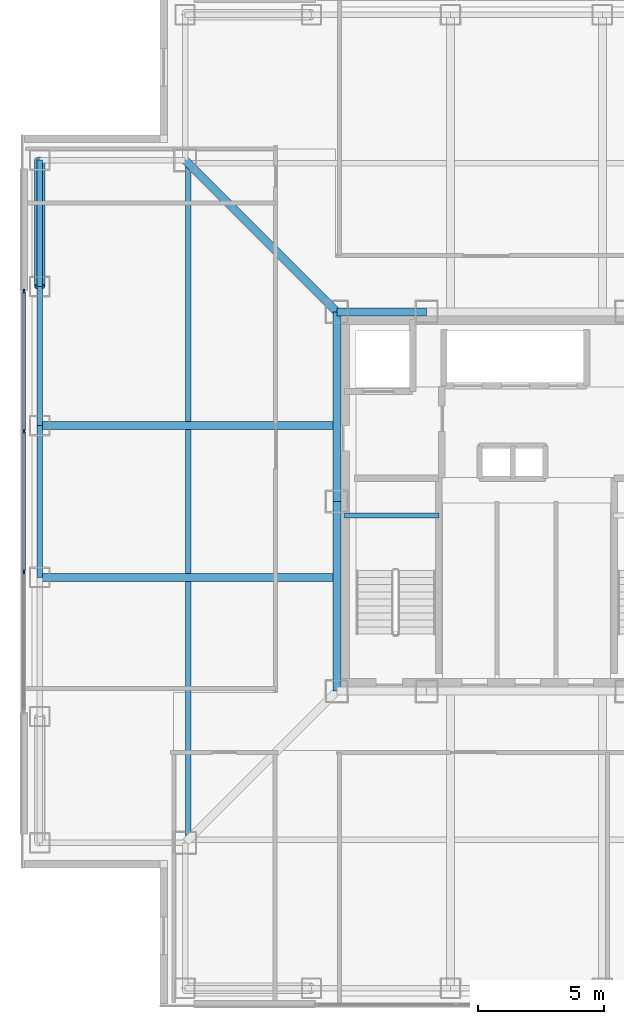
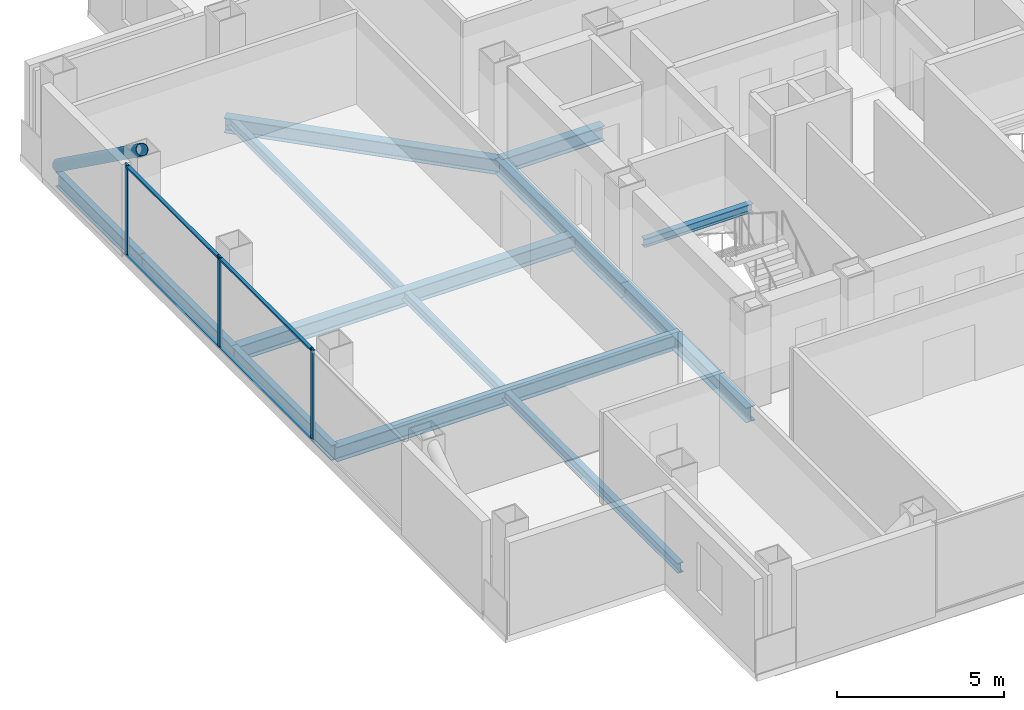
# One storey, part 4 of 17: 11 beams, 8 members, 1 element without a shape of its own.
"""IFC4 building model written with IfcOpenShell, lengths in metres."""

from ifc_helpers import new_model, si_unit, direction, frame, origin, origin_2d, place, context, subcontext, project, spatial, rectangle, hollow_circle, i_section, extrude, material, layer, layer_set, material_profile, profile_set, type_object, element, aggregate, save


model = new_model("IFC4")

# Units and contexts
model_context = context("Model", 3, precision=1e-05, world=origin(), true_north=direction((0.0, 1.0)))
body_context = subcontext(model_context, "Body", "Model", "MODEL_VIEW")
ifc_project = project(units=[si_unit("LENGTHUNIT", "METRE"), si_unit("AREAUNIT", "SQUARE_METRE"), si_unit("VOLUMEUNIT", "CUBIC_METRE"), si_unit("PLANEANGLEUNIT", "RADIAN"), si_unit("MASSUNIT", "GRAM", prefix="KILO")], contexts=[model_context])

# Site, building, storey
site_placement = place(None, origin())
site = spatial("IfcSite", under=ifc_project, at=site_placement, CompositionType="ELEMENT")
building_placement = place(site_placement, origin())
building = spatial("IfcBuilding", under=site, at=building_placement, Name="Trevonay Congress Spire", CompositionType="ELEMENT")
storey_placement = place(building_placement, frame((0.0, 0.0, 191.39990234375)))
storey = spatial("IfcBuildingStorey", under=building, at=storey_placement, Name="L49", CompositionType="ELEMENT", Elevation=191.39990234375)

# Beams
ifc_material_1 = material(Name="Steel ASTM A572 Grade 50", Category="steel")
ifc_material_profile_1 = material_profile(ifc_material_1, i_section(OverallWidth=0.31201171875, OverallDepth=0.54296875, WebThickness=0.0126953125, FlangeThickness=0.020263671875, FilletRadius=0.014892578125, at=origin_2d()), Name="W530x150")
ifc_profile_set_1 = profile_set([ifc_material_profile_1], Name="Steel ASTM A572 Grade 50")
beam_type_1 = type_object("IfcBeamType", Name="BM-GIRD-W530X150", PredefinedType="BEAM", material=ifc_profile_set_1)
beam_1_placement = place(storey_placement, frame((-7.5, 7.5, -0.511474609375), z_axis=(1.0, 0.0, 0.0), x_axis=(0.0, 1.0, 0.0)))
element("IfcBeam", 1, at=beam_1_placement, inside=storey, type_object=beam_type_1, Name="L49 structural beam BM-L49-CR-N1", PredefinedType="BEAM", context=body_context, shape_type="SweptSolid", body=[
    extrude(i_section(OverallWidth=0.31201171875, OverallDepth=0.54296875, WebThickness=0.0126953125, FlangeThickness=0.020263671875, FilletRadius=0.014892578125, at=origin_2d()), origin(), (0.0, 0.0, 1.0), 3.550048828125),
])
for number, where, z_axis, x_axis, name in (
    (2, (-7.5, -7.5, -0.511474609375), (0.0, 1.0, 0.0), (-1.0, 0.0, 0.0), "L49 structural beam BM-L49-CR-W1"),
    (3, (-7.5, 0.0, -0.511474609375), (0.0, 1.0, 0.0), (-1.0, 0.0, 0.0), "L49 structural beam BM-L49-CR-W2"),
):
    element("IfcBeam", number, at=place(storey_placement, frame(where, z_axis=z_axis, x_axis=x_axis)), inside=storey, type_object=beam_type_1, Name=name, PredefinedType="BEAM", context=body_context, shape_type="SweptSolid", body=[
        extrude(i_section(OverallWidth=0.31201171875, OverallDepth=0.54296875, WebThickness=0.0126953125, FlangeThickness=0.020263671875, FilletRadius=0.014892578125, at=origin_2d()), origin(), (0.0, 0.0, 1.0), 7.5),
    ])
beam_2_placement = place(storey_placement, frame((-7.5, 7.5, -0.511474609375), z_axis=(-0.707106781187, 0.707106781187, 0.0), x_axis=(-0.707106781187, -0.707106781187, 0.0)))
element("IfcBeam", 4, at=beam_2_placement, inside=storey, type_object=beam_type_1, Name="L49 structural beam BM-L49-CDNW", PredefinedType="BEAM", context=body_context, shape_type="SweptSolid", body=[
    extrude(i_section(OverallWidth=0.31201171875, OverallDepth=0.54296875, WebThickness=0.0126953125, FlangeThickness=0.020263671875, FilletRadius=0.014892578125, at=origin_2d()), origin(), (0.0, 0.0, 1.0), 8.4853515625),
])
for number, where, z_axis, x_axis, name in (
    (5, (-7.5, -3.0, -0.511474609375), (-1.0, 0.0, 0.0), (0.0, -1.0, 0.0), "L49 structural beam BM-L49-GW-M"),
    (6, (-7.5, 3.0, -0.511474609375), (-1.0, 0.0, 0.0), (0.0, -1.0, 0.0), "L49 structural beam BM-L49-GW-P"),
):
    element("IfcBeam", number, at=place(storey_placement, frame(where, z_axis=z_axis, x_axis=x_axis)), inside=storey, type_object=beam_type_1, Name=name, PredefinedType="BEAM", context=body_context, shape_type="SweptSolid", body=[
        extrude(i_section(OverallWidth=0.31201171875, OverallDepth=0.54296875, WebThickness=0.0126953125, FlangeThickness=0.020263671875, FilletRadius=0.014892578125, at=origin_2d()), origin(), (0.0, 0.0, 1.0), 11.75),
    ])
ifc_material_profile_2 = material_profile(ifc_material_1, i_section(OverallWidth=0.2119140625, OverallDepth=0.5439453125, WebThickness=0.01318359375, FlangeThickness=0.021240234375, FilletRadius=0.014892578125, at=origin_2d()), Name="W530x123")
ifc_profile_set_2 = profile_set([ifc_material_profile_2], Name="Steel ASTM A572 Grade 50")
beam_type_2 = type_object("IfcBeamType", Name="BM-RING-W530X123", PredefinedType="BEAM", material=ifc_profile_set_2)
beam_3_placement = place(storey_placement, frame((-19.25, -3.0, -0.511962890625), z_axis=(0.0, 1.0, 0.0), x_axis=(-1.0, 0.0, 0.0)))
element("IfcBeam", 7, at=beam_3_placement, inside=storey, type_object=beam_type_2, Name="L49 structural beam BM-L49-PW3", PredefinedType="BEAM", context=body_context, shape_type="SweptSolid", body=[
    extrude(i_section(OverallWidth=0.2119140625, OverallDepth=0.5439453125, WebThickness=0.01318359375, FlangeThickness=0.021240234375, FilletRadius=0.014892578125, at=origin_2d()), origin(), (0.0, 0.0, 1.0), 6.0),
])
beam_4_placement = place(storey_placement, frame((-19.25, 3.0, -0.511962890625), z_axis=(0.0, 1.0, 0.0), x_axis=(-1.0, 0.0, 0.0)))
element("IfcBeam", 8, at=beam_4_placement, inside=storey, type_object=beam_type_2, Name="L49 structural beam BM-L49-PW4", PredefinedType="BEAM", context=body_context, shape_type="SweptSolid", body=[
    extrude(i_section(OverallWidth=0.2119140625, OverallDepth=0.5439453125, WebThickness=0.01318359375, FlangeThickness=0.021240234375, FilletRadius=0.014892578125, at=origin_2d()), origin(), (0.0, 0.0, 1.0), 5.5),
])
beam_5_placement = place(storey_placement, frame((-19.25, 8.5, -0.511962890625), z_axis=(0.0, 1.0, 0.0), x_axis=(-1.0, 0.0, 0.0)))
element("IfcBeam", 9, at=beam_5_placement, inside=storey, type_object=beam_type_2, Name="L49 structural beam BM-L49-PW5", PredefinedType="BEAM", context=body_context, shape_type="SweptSolid", body=[
    extrude(i_section(OverallWidth=0.2119140625, OverallDepth=0.5439453125, WebThickness=0.01318359375, FlangeThickness=0.021240234375, FilletRadius=0.014892578125, at=origin_2d()), origin(), (0.0, 0.0, 1.0), 5.0),
])

# Curtain wall, members
ifc_material_2 = material(Name="Pale Anodised Aluminium EN AW-6063-T6", Category="aluminium")
ifc_layer = layer(ifc_material_2, 0.169921875, Name="Pale Anodised Aluminium EN AW-6063-T6")
ifc_layer_set = layer_set([ifc_layer], Name="Pale Anodised Aluminium EN AW-6063-T6")
curtain_wall_type = type_object("IfcCurtainWallType", Name="CW-SYS04-CORP-PALE-METAL", PredefinedType="NOTDEFINED", material=ifc_layer_set)
curtain_wall_placement = place(storey_placement, origin())
curtain_wall = element("IfcCurtainWall", 10, at=curtain_wall_placement, inside=storey, type_object=curtain_wall_type, Name="L49 W unitised curtain wall", PredefinedType="NOTDEFINED")
ifc_material_profile_3 = material_profile(ifc_material_2, rectangle(XDim=0.06005859375, YDim=0.159912109375, at=origin_2d()), Name="CW-MULLION-160-ALUMINIUM")
ifc_profile_set_3 = profile_set([ifc_material_profile_3], Name="Pale Anodised Aluminium EN AW-6063-T6")
member_type_1 = type_object("IfcMemberType", Name="CW-MULLION-160-ALUMINIUM", PredefinedType="MULLION", material=ifc_profile_set_3)
member_1_placement = place(storey_placement, frame((-19.8798828125, -2.783447265625, 0.0), z_axis=(0.0, 0.0, 1.0), x_axis=(-1.0, 0.0, 0.0)))
member_1 = element("IfcMember", 11, at=member_1_placement, type_object=member_type_1, Name="CW04 mullion 2", PredefinedType="MULLION", context=body_context, shape_type="SweptSolid", body=[
    extrude(rectangle(XDim=0.06005859375, YDim=0.159912109375, at=origin_2d()), origin(), (0.0, 0.0, 1.0), 3.360107421875),
])
member_2_placement = place(storey_placement, frame((-19.8798828125, 2.783447265625, 0.0), z_axis=(0.0, 0.0, 1.0), x_axis=(-1.0, 0.0, 0.0)))
member_2 = element("IfcMember", 12, at=member_2_placement, type_object=member_type_1, Name="CW04 mullion 3", PredefinedType="MULLION", context=body_context, shape_type="SweptSolid", body=[
    extrude(rectangle(XDim=0.06005859375, YDim=0.159912109375, at=origin_2d()), origin(), (0.0, 0.0, 1.0), 3.360107421875),
])
member_3_placement = place(storey_placement, frame((-19.8798828125, 8.320068359375, 0.0), z_axis=(0.0, 0.0, 1.0), x_axis=(-1.0, 0.0, 0.0)))
member_3 = element("IfcMember", 13, at=member_3_placement, type_object=member_type_1, Name="CW04 mullion 4", PredefinedType="MULLION", context=body_context, shape_type="SweptSolid", body=[
    extrude(rectangle(XDim=0.06005859375, YDim=0.159912109375, at=origin_2d()), origin(), (0.0, 0.0, 1.0), 3.360107421875),
])
ifc_material_profile_4 = material_profile(ifc_material_2, rectangle(XDim=0.1201171875, YDim=0.06005859375, at=origin_2d()), Name="CW-TRANSOM-120-ALUMINIUM")
ifc_profile_set_4 = profile_set([ifc_material_profile_4], Name="Pale Anodised Aluminium EN AW-6063-T6")
member_type_2 = type_object("IfcMemberType", Name="CW-TRANSOM-120-ALUMINIUM", PredefinedType="USERDEFINED", material=ifc_profile_set_4)
member_4_placement = place(storey_placement, frame((-19.8798828125, -2.75341796875, 0.06005859375), z_axis=(0.0, 1.0, 0.0), x_axis=(-1.0, 0.0, 0.0)))
member_4 = element("IfcMember", 14, at=member_4_placement, type_object=member_type_2, Name="CW04 transom 2.1", ObjectType="TRANSOM", PredefinedType="USERDEFINED", context=body_context, shape_type="SweptSolid", body=[
    extrude(rectangle(XDim=0.1201171875, YDim=0.06005859375, at=origin_2d()), origin(), (0.0, 0.0, 1.0), 5.5068359375),
])
member_5_placement = place(storey_placement, frame((-19.8798828125, -2.75341796875, 3.300048828125), z_axis=(0.0, 1.0, 0.0), x_axis=(-1.0, 0.0, 0.0)))
member_5 = element("IfcMember", 15, at=member_5_placement, type_object=member_type_2, Name="CW04 transom 2.2", ObjectType="TRANSOM", PredefinedType="USERDEFINED", context=body_context, shape_type="SweptSolid", body=[
    extrude(rectangle(XDim=0.1201171875, YDim=0.06005859375, at=origin_2d()), origin(), (0.0, 0.0, 1.0), 5.5068359375),
])
member_6_placement = place(storey_placement, frame((-19.8798828125, 2.813232421875, 0.06005859375), z_axis=(0.0, 1.0, 0.0), x_axis=(-1.0, 0.0, 0.0)))
member_6 = element("IfcMember", 16, at=member_6_placement, type_object=member_type_2, Name="CW04 transom 3.1", ObjectType="TRANSOM", PredefinedType="USERDEFINED", context=body_context, shape_type="SweptSolid", body=[
    extrude(rectangle(XDim=0.1201171875, YDim=0.06005859375, at=origin_2d()), origin(), (0.0, 0.0, 1.0), 5.476806640625),
])
member_7_placement = place(storey_placement, frame((-19.8798828125, 2.813232421875, 3.300048828125), z_axis=(0.0, 1.0, 0.0), x_axis=(-1.0, 0.0, 0.0)))
member_7 = element("IfcMember", 17, at=member_7_placement, type_object=member_type_2, Name="CW04 transom 3.2", ObjectType="TRANSOM", PredefinedType="USERDEFINED", context=body_context, shape_type="SweptSolid", body=[
    extrude(rectangle(XDim=0.1201171875, YDim=0.06005859375, at=origin_2d()), origin(), (0.0, 0.0, 1.0), 5.476806640625),
])
aggregate(curtain_wall, [member_1, member_2, member_3, member_4, member_5, member_6, member_7])

# Beams
ifc_material_profile_5 = material_profile(ifc_material_1, i_section(OverallWidth=0.205078125, OverallDepth=0.35400390625, WebThickness=0.009521484375, FlangeThickness=0.016845703125, FilletRadius=0.011962890625, at=origin_2d()), Name="W360x79")
ifc_profile_set_5 = profile_set([ifc_material_profile_5], Name="Steel ASTM A572 Grade 50")
beam_type_3 = type_object("IfcBeamType", Name="JS-COMP-W360X79", PredefinedType="JOIST", material=ifc_profile_set_5)
beam_6_placement = place(storey_placement, frame((-13.375, -13.5, -0.4169921875), z_axis=(0.0, 1.0, 0.0), x_axis=(-1.0, 0.0, 0.0)))
element("IfcBeam", 18, at=beam_6_placement, inside=storey, type_object=beam_type_3, Name="L49 structural beam JS-L49-RING-W", PredefinedType="JOIST", context=body_context, shape_type="SweptSolid", body=[
    extrude(i_section(OverallWidth=0.205078125, OverallDepth=0.35400390625, WebThickness=0.009521484375, FlangeThickness=0.016845703125, FilletRadius=0.011962890625, at=origin_2d()), origin(), (0.0, 0.0, 1.0), 27.0),
])
ifc_material_profile_6 = material_profile(ifc_material_1, i_section(OverallWidth=0.2041015625, OverallDepth=0.305908203125, WebThickness=0.008544921875, FlangeThickness=0.0146484375, FilletRadius=0.010986328125, at=origin_2d()), Name="W310x67")
ifc_profile_set_6 = profile_set([ifc_material_profile_6], Name="Steel ASTM A572 Grade 50")
beam_type_4 = type_object("IfcBeamType", Name="LN-CORE-W310X67", PredefinedType="LINTEL", material=ifc_profile_set_6)
beam_7_placement = place(storey_placement, frame((-7.199951171875, -0.550048828125, 1.447021484375), z_axis=(1.0, 0.0, 0.0), x_axis=(0.0, 1.0, 0.0)))
element("IfcBeam", 19, at=beam_7_placement, inside=storey, type_object=beam_type_4, Name="L49 structural beam BM-L49-HL-ST1", PredefinedType="LINTEL", context=body_context, shape_type="SweptSolid", body=[
    extrude(i_section(OverallWidth=0.2041015625, OverallDepth=0.305908203125, WebThickness=0.008544921875, FlangeThickness=0.0146484375, FilletRadius=0.010986328125, at=origin_2d()), origin(), (0.0, 0.0, 1.0), 3.75),
])

# Member
ifc_material_3 = material(Name="Steel ASTM A500 Grade C", Category="steel")
ifc_material_profile_7 = material_profile(ifc_material_3, hollow_circle(Radius=0.203125, WallThickness=0.02001953125, at=origin_2d()), Name="CHS 406.4x20")
ifc_profile_set_7 = profile_set([ifc_material_profile_7], Name="Steel ASTM A500 Grade C")
member_type_3 = type_object("IfcMemberType", Name="MBR-TUBE-CHS406", PredefinedType="BRACE", material=ifc_profile_set_7)
member_8_placement = place(storey_placement, frame((-19.25, 13.5, -0.0498046875), z_axis=(0.0, -0.811545615365, 0.584289067313), x_axis=(1.0, 0.0, 0.0)))
element("IfcMember", 20, at=member_8_placement, inside=storey, type_object=member_type_3, Name="L49 perimeter braced-tube diagonal W4", PredefinedType="BRACE", context=body_context, shape_type="SweptSolid", body=[
    extrude(hollow_circle(Radius=0.203125, WallThickness=0.02001953125, at=origin_2d()), origin(), (0.0, 0.0, 1.0), 6.1611328125),
])

save(model, "model.ifc")
